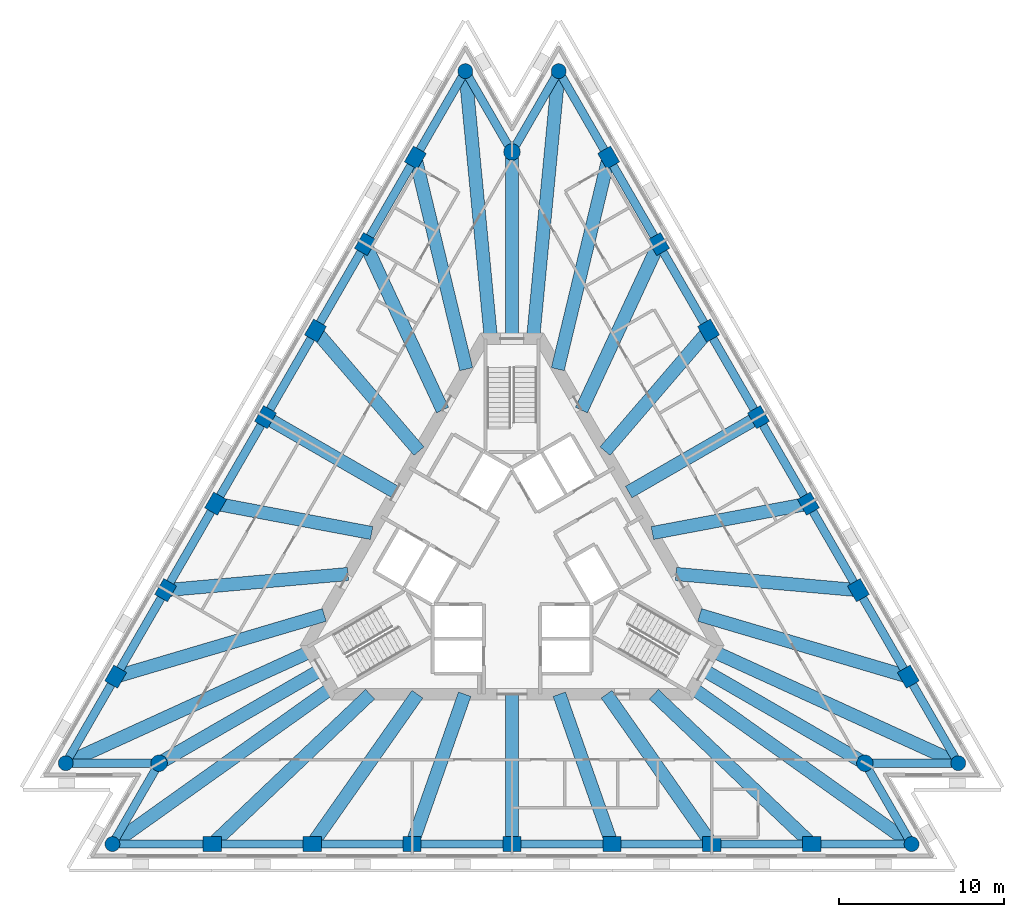
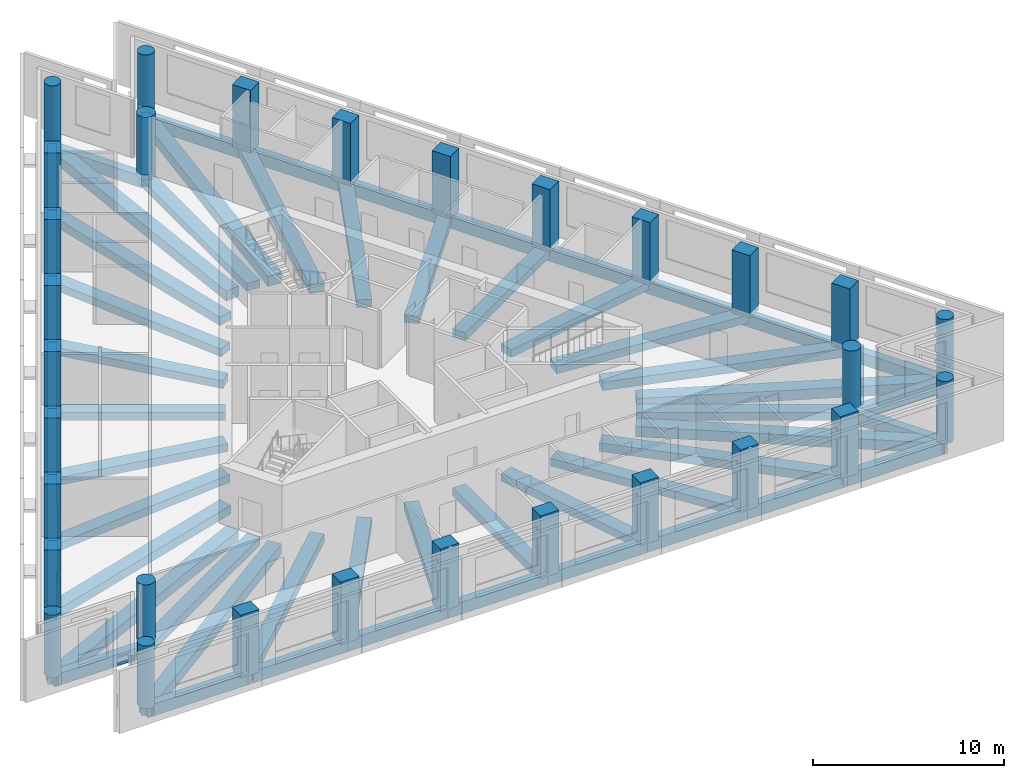
# One storey, part 1 of 9: 60 beams, 30 columns.
"""IFC4 building model written with IfcOpenShell, lengths in metres."""

import ifcopenshell
import ifcopenshell.guid

model = None  # the IFC model being written
_history = None  # IfcOwnerHistory: only IFC2X3 demands one
_inside = {}  # id of a spatial element -> (the spatial element, [elements in it])
_under = {}  # id of a project, library or spatial element -> (it, [spatial elements below it])
_declared = {}  # id of a project -> (the project, [libraries it declares])
_typed = {}  # id of a type object -> (the type object, [elements of that type])
_made_of = {}  # id of a material, layer set ... -> (it, [elements and type objects made of it])


def new_model(schema):
    """Start an empty IFC model of exactly this schema.

    Asked for "IFC4X3", IfcOpenShell would pick the latest addendum, in which some entities
    have other attributes; the version numbers below select the first issue.
    IFC2X3 requires an IfcOwnerHistory on every rooted entity: one is made here for all.
    """
    global model, _history
    if schema == "IFC4X3":
        model = ifcopenshell.file(schema_version=(4, 3, 0, 0))
    else:
        model = ifcopenshell.file(schema=schema)
    _inside.clear()
    _under.clear()
    _declared.clear()
    _typed.clear()
    _made_of.clear()
    _history = None
    if model.schema == "IFC2X3":
        org = make("IfcOrganization", Name="unknown")
        user = make(
            "IfcPersonAndOrganization",
            ThePerson=make("IfcPerson", FamilyName="unknown"),
            TheOrganization=org,
        )
        app = make(
            "IfcApplication",
            ApplicationDeveloper=org,
            Version="unknown",
            ApplicationFullName="unknown",
            ApplicationIdentifier="unknown",
        )
        _history = make(
            "IfcOwnerHistory",
            OwningUser=user,
            OwningApplication=app,
            ChangeAction="ADDED",
            CreationDate=0,
        )
    return model


def make(cls, **values):
    """One entity of the class cls with the attributes given. An attribute that is None is left unset."""
    return model.create_entity(
        cls, **{name: value for name, value in values.items() if value is not None}
    )


def rooted(cls, **values):
    """An entity with a GlobalId (a new one), such as an element, a storey or a relation."""
    return make(cls, GlobalId=ifcopenshell.guid.new(), OwnerHistory=_history, **values)


def si_unit(unit_type, name, prefix=None):
    """IfcSIUnit, for example si_unit("LENGTHUNIT", "METRE", prefix="MILLI")."""
    return make("IfcSIUnit", UnitType=unit_type, Prefix=prefix, Name=name)


def assignment(units):
    """IfcUnitAssignment: the units of a project."""
    return None if units is None else make("IfcUnitAssignment", Units=units)


def point(xyz):
    """IfcCartesianPoint."""
    return None if xyz is None else make("IfcCartesianPoint", Coordinates=xyz)


def direction(xyz):
    """IfcDirection."""
    return None if xyz is None else make("IfcDirection", DirectionRatios=xyz)


def frame(location, z_axis=None, x_axis=None):
    """IfcAxis2Placement3D, a coordinate frame: its origin and axes. An axis left out is left unset."""
    return make(
        "IfcAxis2Placement3D",
        Location=point(location),
        Axis=direction(z_axis),
        RefDirection=direction(x_axis),
    )


def frame_2d(location, x_axis=None):
    """IfcAxis2Placement2D, a coordinate frame in the plane: its origin and x axis."""
    return make(
        "IfcAxis2Placement2D", Location=point(location), RefDirection=direction(x_axis)
    )


def origin():
    """The frame at (0, 0, 0) with its axes left unset."""
    return frame((0.0, 0.0, 0.0))


def origin_2d():
    """The frame at (0, 0) in the plane with its x axis left unset."""
    return frame_2d((0.0, 0.0))


def place(relative_to, where):
    """IfcLocalPlacement: puts the frame where relative to a parent placement (None: the world)."""
    return make(
        "IfcLocalPlacement", PlacementRelTo=relative_to, RelativePlacement=where
    )


def context(
    kind, dimensions, precision=None, world=None, true_north=None, identifier=None
):
    """IfcGeometricRepresentationContext, for example the 3D "Model" context."""
    return make(
        "IfcGeometricRepresentationContext",
        ContextIdentifier=identifier,
        ContextType=kind,
        CoordinateSpaceDimension=dimensions,
        Precision=precision,
        WorldCoordinateSystem=world,
        TrueNorth=true_north,
    )


def subcontext(parent, identifier, kind, view, scale=None):
    """IfcGeometricRepresentationSubContext, for example "Body" below "Model"."""
    return make(
        "IfcGeometricRepresentationSubContext",
        ContextIdentifier=identifier,
        ContextType=kind,
        ParentContext=parent,
        TargetScale=scale,
        TargetView=view,
    )


def project(units=None, contexts=None):
    """IfcProject with its units and contexts."""
    return rooted(
        "IfcProject",
        Name="project",
        RepresentationContexts=contexts,
        UnitsInContext=assignment(units),
    )


def spatial(cls, under=None, at=None, **own):
    """A site, building, storey or space (cls), placed at a placement, below another one or the project."""
    s = rooted(cls, ObjectPlacement=at, **own)
    if under is not None:
        _under.setdefault(under.id(), (under, []))[1].append(s)
    return s


def profile(cls, at=None, kind="AREA", **sizes):
    """A parametric profile (cls). Its sizes go by their IFC names, for example OverallWidth=200.0."""
    return make(cls, ProfileType=kind, Position=at, **sizes)


def rectangle(**sizes):
    """IfcRectangleProfileDef."""
    return profile("IfcRectangleProfileDef", **sizes)


def circle(**sizes):
    """IfcCircleProfileDef."""
    return profile("IfcCircleProfileDef", **sizes)


def extrude(swept, where, along, depth):
    """IfcExtrudedAreaSolid: the profile swept, set in the frame where, extruded along a direction by depth."""
    return make(
        "IfcExtrudedAreaSolid",
        SweptArea=swept,
        Position=where,
        ExtrudedDirection=direction(along),
        Depth=depth,
    )


def shape(context_of_items, identifier, shape_type, items):
    """IfcShapeRepresentation: the items that make up one representation, for example the "Body"."""
    return make(
        "IfcShapeRepresentation",
        ContextOfItems=context_of_items,
        RepresentationIdentifier=identifier,
        RepresentationType=shape_type,
        Items=items,
    )


def material(Name=None, Category=None):
    """IfcMaterial."""
    return make("IfcMaterial", Name=Name, Category=Category)


def material_profile(
    of_material, cross_section, Name=None, Category=None, Priority=None
):
    """IfcMaterialProfile: a cross section and its material."""
    return make(
        "IfcMaterialProfile",
        Name=Name,
        Material=of_material,
        Profile=cross_section,
        Priority=Priority,
        Category=Category,
    )


def profile_set(profiles, Name=None, composite=None):
    """IfcMaterialProfileSet."""
    return make(
        "IfcMaterialProfileSet",
        Name=Name,
        MaterialProfiles=profiles,
        CompositeProfile=composite,
    )


def made_of(thing, what):
    """Note that an element or type object is made of a material, layer set ...; save() writes the relation."""
    if what is not None:
        _made_of.setdefault(what.id(), (what, []))[1].append(thing)
    return thing


def type_object(cls, material=None, **own):
    """A type object (cls), such as IfcWallType, which elements share."""
    return made_of(rooted(cls, **own), material)


def element(
    cls,
    number,
    at=None,
    inside=None,
    cuts=None,
    type_object=None,
    material=None,
    context=None,
    identifier="Body",
    shape_type=None,
    held_by="IfcProductDefinitionShape",
    body=None,
    shapes=None,
    **own,
):
    """One element of the class cls, such as IfcWall. Its Tag is "e" and its number.

    at: its placement. inside: the storey or other place that contains it. cuts: it is an
    opening in that element (IfcRelVoidsElement). A single representation is given by context,
    identifier, shape_type and body (its items); several are given by shapes. held_by: the class
    of the entity that holds the representations. save() writes the other relations.
    """
    e = rooted(cls, Tag="e%d" % number, ObjectPlacement=at, **own)
    if body is not None:
        shapes = [shape(context, identifier, shape_type, body)]
    if shapes is not None:
        e.Representation = make(held_by, Representations=shapes)
    if inside is not None:
        _inside.setdefault(inside.id(), (inside, []))[1].append(e)
    if cuts is not None:
        rooted(
            "IfcRelVoidsElement", RelatingBuildingElement=cuts, RelatedOpeningElement=e
        )
    if type_object is not None:
        _typed.setdefault(type_object.id(), (type_object, []))[1].append(e)
    return made_of(e, material)


def aggregate(whole, parts):
    """IfcRelAggregates: a whole, such as a stair, and the parts it consists of."""
    return rooted("IfcRelAggregates", RelatingObject=whole, RelatedObjects=parts)


def save(model, path):
    """Write the relations noted so far, then the file.

    IfcRelAggregates (storeys below a building ...), IfcRelContainedInSpatialStructure (elements
    in a storey), IfcRelDefinesByType, IfcRelAssociatesMaterial and IfcRelDeclares: one each for
    every whole, place, type object, material and project.
    """
    for whole, parts in _under.values():
        aggregate(whole, parts)
    for where, things in _inside.values():
        rooted(
            "IfcRelContainedInSpatialStructure",
            RelatedElements=things,
            RelatingStructure=where,
        )
    for kind, things in _typed.values():
        rooted("IfcRelDefinesByType", RelatedObjects=things, RelatingType=kind)
    for what, things in _made_of.values():
        rooted("IfcRelAssociatesMaterial", RelatedObjects=things, RelatingMaterial=what)
    for by, libraries in _declared.values():
        rooted("IfcRelDeclares", RelatingContext=by, RelatedDefinitions=libraries)
    model.write(path)


model = new_model("IFC4")

# Units and contexts
model_context = context("Model", 3, precision=1e-05, world=origin(), true_north=direction((0.0, 1.0)))
body_context = subcontext(model_context, "Body", "Model", "MODEL_VIEW")
ifc_project = project(units=[si_unit("LENGTHUNIT", "METRE"), si_unit("AREAUNIT", "SQUARE_METRE"), si_unit("VOLUMEUNIT", "CUBIC_METRE"), si_unit("PLANEANGLEUNIT", "RADIAN"), si_unit("MASSUNIT", "GRAM", prefix="KILO")], contexts=[model_context])

# Site, building, storey
site_placement = place(None, origin())
site = spatial("IfcSite", under=ifc_project, at=site_placement, CompositionType="ELEMENT")
building_placement = place(site_placement, origin())
building = spatial("IfcBuilding", under=site, at=building_placement, Name="Triada Interchange Tower", CompositionType="ELEMENT")
storey_placement = place(building_placement, frame((0.0, 0.0, 219.300048828125)))
storey = spatial("IfcBuildingStorey", under=building, at=storey_placement, Name="L51", CompositionType="ELEMENT", Elevation=219.300048828125)

# Columns
ifc_material = material(Name="Concrete C50/60", Category="concrete")
ifc_material_profile_1 = material_profile(ifc_material, rectangle(XDim=1.10009765625, YDim=0.89990234375, at=origin_2d()), Name="RC 1100x900")
ifc_profile_set_1 = profile_set([ifc_material_profile_1], Name="Concrete C50/60")
column_type_1 = type_object("IfcColumnType", Name="Column C face RC 1100x900", PredefinedType="COLUMN", material=ifc_profile_set_1)
for number, where, z_axis, x_axis, name in (
    (1, (-5.843017578125, 24.299072265625, -0.300048828125), (0.0, 0.0, 1.0), (0.5, 0.866025403784, 0.0), "Column CC02 L51"),
    (2, (-8.864013671875, 19.068115234375, -0.300048828125), (0.0, 0.0, 1.0), (0.5, 0.866025403784, 0.0), "Column CC03 L51"),
    (3, (-11.884033203125, 13.8359375, -0.300048828125), (0.0, 0.0, 1.0), (0.5, 0.866025403784, 0.0), "Column CC04 L51"),
    (4, (-14.904052734375, 8.60498046875, -0.300048828125), (0.0, 0.0, 1.0), (0.5, 0.866025403784, 0.0), "Column CC05 L51"),
    (5, (-17.924072265625, 3.3740234375, -0.300048828125), (0.0, 0.0, 1.0), (0.5, 0.866025403784, 0.0), "Column CC06 L51"),
    (6, (-20.944091796875, -1.85791015625, -0.300048828125), (0.0, 0.0, 1.0), (0.5, 0.866025403784, 0.0), "Column CC07 L51"),
    (7, (-23.965087890625, -7.089111328125, -0.300048828125), (0.0, 0.0, 1.0), (0.5, 0.866025403784, 0.0), "Column CC08 L51"),
    (8, (-18.12109375, -17.2099609375, -0.300048828125), (0.0, 0.0, 1.0), (1.0, 0.0, 0.0), "Column CC11 L51"),
    (9, (-12.0810546875, -17.2099609375, -0.300048828125), (0.0, 0.0, 1.0), (1.0, 0.0, 0.0), "Column CC12 L51"),
    (10, (-6.041015625, -17.2099609375, -0.300048828125), (0.0, 0.0, 1.0), (1.0, 0.0, 0.0), "Column CC13 L51"),
    (11, (0.0, -17.2099609375, -0.300048828125), (0.0, 0.0, 1.0), (1.0, 0.0, 0.0), "Column CC14 L51"),
    (12, (6.041015625, -17.2099609375, -0.300048828125), (0.0, 0.0, 1.0), (1.0, 0.0, 0.0), "Column CC15 L51"),
    (13, (12.0810546875, -17.2099609375, -0.300048828125), (0.0, 0.0, 1.0), (1.0, 0.0, 0.0), "Column CC16 L51"),
    (14, (18.12109375, -17.2099609375, -0.300048828125), (0.0, 0.0, 1.0), (1.0, 0.0, 0.0), "Column CC17 L51"),
    (15, (23.965087890625, -7.089111328125, -0.300048828125), (0.0, 0.0, 1.0), (-0.5, 0.866025403784, 0.0), "Column CC20 L51"),
    (16, (20.944091796875, -1.85791015625, -0.300048828125), (0.0, 0.0, 1.0), (-0.5, 0.866025403784, 0.0), "Column CC21 L51"),
    (17, (17.924072265625, 3.3740234375, -0.300048828125), (0.0, 0.0, 1.0), (-0.5, 0.866025403784, 0.0), "Column CC22 L51"),
    (18, (14.904052734375, 8.60498046875, -0.300048828125), (0.0, 0.0, 1.0), (-0.5, 0.866025403784, 0.0), "Column CC23 L51"),
    (19, (11.884033203125, 13.8359375, -0.300048828125), (0.0, 0.0, 1.0), (-0.5, 0.866025403784, 0.0), "Column CC24 L51"),
    (20, (8.864013671875, 19.068115234375, -0.300048828125), (0.0, 0.0, 1.0), (-0.5, 0.866025403784, 0.0), "Column CC25 L51"),
    (21, (5.843017578125, 24.299072265625, -0.300048828125), (0.0, 0.0, 1.0), (-0.5, 0.866025403784, 0.0), "Column CC26 L51"),
):
    element("IfcColumn", number, at=place(storey_placement, frame(where, z_axis=z_axis, x_axis=x_axis)), inside=storey, type_object=column_type_1, Name=name, PredefinedType="COLUMN", context=body_context, shape_type="SweptSolid", body=[
        extrude(rectangle(XDim=1.10009765625, YDim=0.89990234375, at=origin_2d()), origin(), (0.0, 0.0, 1.0), 4.0),
    ])
ifc_material_profile_2 = material_profile(ifc_material, circle(Radius=0.449951171875, at=origin_2d()), Name="RC D900")
ifc_profile_set_2 = profile_set([ifc_material_profile_2], Name="Concrete C50/60")
column_type_2 = type_object("IfcColumnType", Name="End column C RC D900", PredefinedType="COLUMN", material=ifc_profile_set_2)
for number, where, z_axis, x_axis, name in (
    (22, (-2.822998046875, 29.530029296875, -0.300048828125), (0.0, 0.0, 1.0), (0.5, 0.866025403784, 0.0), "Column CC01 L51"),
    (23, (-26.985107421875, -12.320068359375, -0.300048828125), (0.0, 0.0, 1.0), (0.5, 0.866025403784, 0.0), "Column CC09 L51"),
    (24, (-24.162109375, -17.2099609375, -0.300048828125), (0.0, 0.0, 1.0), (1.0, 0.0, 0.0), "Column CC10 L51"),
    (25, (24.162109375, -17.2099609375, -0.300048828125), (0.0, 0.0, 1.0), (1.0, 0.0, 0.0), "Column CC18 L51"),
    (26, (26.985107421875, -12.320068359375, -0.300048828125), (0.0, 0.0, 1.0), (-0.5, 0.866025403784, 0.0), "Column CC19 L51"),
    (27, (2.822998046875, 29.530029296875, -0.300048828125), (0.0, 0.0, 1.0), (-0.5, 0.866025403784, 0.0), "Column CC27 L51"),
):
    element("IfcColumn", number, at=place(storey_placement, frame(where, z_axis=z_axis, x_axis=x_axis)), inside=storey, type_object=column_type_2, Name=name, PredefinedType="COLUMN", context=body_context, shape_type="SweptSolid", body=[
        extrude(circle(Radius=0.449951171875, at=origin_2d()), origin(), (0.0, 0.0, 1.0), 4.0),
    ])
ifc_material_profile_3 = material_profile(ifc_material, circle(Radius=0.5, at=origin_2d()), Name="RC D1000")
ifc_profile_set_3 = profile_set([ifc_material_profile_3], Name="Concrete C50/60")
column_type_3 = type_object("IfcColumnType", Name="Mega column C RC D1000", PredefinedType="COLUMN", material=ifc_profile_set_3)
for number, where, z_axis, x_axis, name in (
    (28, (0.0, 24.64111328125, -0.300048828125), (0.0, 0.0, 1.0), (1.0, 0.0, 0.0), "Column MC1 L51"),
    (29, (-21.339111328125, -12.320068359375, -0.300048828125), (0.0, 0.0, 1.0), (1.0, 0.0, 0.0), "Column MC2 L51"),
    (30, (21.339111328125, -12.320068359375, -0.300048828125), (0.0, 0.0, 1.0), (1.0, 0.0, 0.0), "Column MC3 L51"),
):
    element("IfcColumn", number, at=place(storey_placement, frame(where, z_axis=z_axis, x_axis=x_axis)), inside=storey, type_object=column_type_3, Name=name, PredefinedType="COLUMN", context=body_context, shape_type="SweptSolid", body=[
        extrude(circle(Radius=0.5, at=origin_2d()), origin(), (0.0, 0.0, 1.0), 4.0),
    ])

# Beams
ifc_material_profile_4 = material_profile(ifc_material, rectangle(XDim=0.800048828125, YDim=0.5, at=origin_2d()), Name="RC 800x500")
ifc_profile_set_4 = profile_set([ifc_material_profile_4], Name="Concrete C50/60")
beam_type_1 = type_object("IfcBeamType", Name="Radial band beam C RC 800x500", PredefinedType="BEAM", material=ifc_profile_set_4)
beam_1_placement = place(storey_placement, frame((-8.864013671875, 19.068115234375, -0.550048828125), z_axis=(0.421590750137, -0.906786214826, 0.0), x_axis=(0.906786214826, 0.421590750137, 0.0)))
element("IfcBeam", 31, at=beam_1_placement, inside=storey, type_object=beam_type_1, Name="Radial band beam BC03 L51", PredefinedType="BEAM", context=body_context, shape_type="SweptSolid", body=[
    extrude(rectangle(XDim=0.800048828125, YDim=0.5, at=origin_2d()), origin(), (0.0, 0.0, 1.0), 11.070068359375),
])
beam_2_placement = place(storey_placement, frame((-11.884033203125, 13.8359375, -0.550048828125), z_axis=(0.6515553359, -0.75860111011, 0.0), x_axis=(0.75860111011, 0.6515553359, 0.0)))
element("IfcBeam", 32, at=beam_2_placement, inside=storey, type_object=beam_type_1, Name="Radial band beam BC04 L51", PredefinedType="BEAM", context=body_context, shape_type="SweptSolid", body=[
    extrude(rectangle(XDim=0.800048828125, YDim=0.5, at=origin_2d()), origin(), (0.0, 0.0, 1.0), 9.601806640625),
])
beam_3_placement = place(storey_placement, frame((-14.904052734375, 8.60498046875, -0.550048828125), z_axis=(0.866017300948, -0.500014034262, 0.0), x_axis=(0.500014034262, 0.866017300948, 0.0)))
element("IfcBeam", 33, at=beam_3_placement, inside=storey, type_object=beam_type_1, Name="Radial band beam BC05 L51", PredefinedType="BEAM", context=body_context, shape_type="SweptSolid", body=[
    extrude(rectangle(XDim=0.800048828125, YDim=0.5, at=origin_2d()), origin(), (0.0, 0.0, 1.0), 9.059814453125),
])
beam_4_placement = place(storey_placement, frame((-17.924072265625, 3.3740234375, -0.550048828125), z_axis=(0.982742411841, -0.18497932849, 0.0), x_axis=(0.18497932849, 0.982742411841, 0.0)))
element("IfcBeam", 34, at=beam_4_placement, inside=storey, type_object=beam_type_1, Name="Radial band beam BC06 L51", PredefinedType="BEAM", context=body_context, shape_type="SweptSolid", body=[
    extrude(rectangle(XDim=0.800048828125, YDim=0.5, at=origin_2d()), origin(), (0.0, 0.0, 1.0), 9.601806640625),
])
beam_5_placement = place(storey_placement, frame((-20.944091796875, -1.85791015625, -0.550048828125), z_axis=(0.996088446435, 0.088361795355, 0.0), x_axis=(-0.088361795355, 0.996088446435, 0.0)))
element("IfcBeam", 35, at=beam_5_placement, inside=storey, type_object=beam_type_1, Name="Radial band beam BC07 L51", PredefinedType="BEAM", context=body_context, shape_type="SweptSolid", body=[
    extrude(rectangle(XDim=0.800048828125, YDim=0.5, at=origin_2d()), origin(), (0.0, 0.0, 1.0), 11.068359375),
])
beam_6_placement = place(storey_placement, frame((-21.339111328125, -12.320068359375, -0.550048828125), z_axis=(0.86601740905, 0.500013847031, 0.0), x_axis=(-0.500013847031, 0.86601740905, 0.0)))
element("IfcBeam", 36, at=beam_6_placement, inside=storey, type_object=beam_type_1, Name="Radial band beam BC10 L51", PredefinedType="BEAM", context=body_context, shape_type="SweptSolid", body=[
    extrude(rectangle(XDim=0.800048828125, YDim=0.5, at=origin_2d()), origin(), (0.0, 0.0, 1.0), 11.289794921875),
])
beam_7_placement = place(storey_placement, frame((-12.0810546875, -17.2099609375, -0.550048828125), z_axis=(0.574557185305, 0.818464440776, 0.0), x_axis=(-0.818464440776, 0.574557185305, 0.0)))
element("IfcBeam", 37, at=beam_7_placement, inside=storey, type_object=beam_type_1, Name="Radial band beam BC13 L51", PredefinedType="BEAM", context=body_context, shape_type="SweptSolid", body=[
    extrude(rectangle(XDim=0.800048828125, YDim=0.5, at=origin_2d()), origin(), (0.0, 0.0, 1.0), 11.069580078125),
])
beam_8_placement = place(storey_placement, frame((-6.041015625, -17.2099609375, -0.550048828125), z_axis=(0.331177076253, 0.943568621863, 0.0), x_axis=(-0.943568621863, 0.331177076253, 0.0)))
element("IfcBeam", 38, at=beam_8_placement, inside=storey, type_object=beam_type_1, Name="Radial band beam BC14 L51", PredefinedType="BEAM", context=body_context, shape_type="SweptSolid", body=[
    extrude(rectangle(XDim=0.800048828125, YDim=0.5, at=origin_2d()), origin(), (0.0, 0.0, 1.0), 9.601806640625),
])
beam_9_placement = place(storey_placement, frame((0.0, -17.2099609375, -0.550048828125), z_axis=(0.0, 1.0, 0.0), x_axis=(-1.0, 0.0, 0.0)))
element("IfcBeam", 39, at=beam_9_placement, inside=storey, type_object=beam_type_1, Name="Radial band beam BC15 L51", PredefinedType="BEAM", context=body_context, shape_type="SweptSolid", body=[
    extrude(rectangle(XDim=0.800048828125, YDim=0.5, at=origin_2d()), origin(), (0.0, 0.0, 1.0), 9.06005859375),
])
beam_10_placement = place(storey_placement, frame((6.041015625, -17.2099609375, -0.550048828125), z_axis=(-0.331177076253, 0.943568621863, 0.0), x_axis=(-0.943568621863, -0.331177076253, 0.0)))
element("IfcBeam", 40, at=beam_10_placement, inside=storey, type_object=beam_type_1, Name="Radial band beam BC16 L51", PredefinedType="BEAM", context=body_context, shape_type="SweptSolid", body=[
    extrude(rectangle(XDim=0.800048828125, YDim=0.5, at=origin_2d()), origin(), (0.0, 0.0, 1.0), 9.601806640625),
])
beam_11_placement = place(storey_placement, frame((12.0810546875, -17.2099609375, -0.550048828125), z_axis=(-0.574557185305, 0.818464440776, 0.0), x_axis=(-0.818464440776, -0.574557185305, 0.0)))
element("IfcBeam", 41, at=beam_11_placement, inside=storey, type_object=beam_type_1, Name="Radial band beam BC17 L51", PredefinedType="BEAM", context=body_context, shape_type="SweptSolid", body=[
    extrude(rectangle(XDim=0.800048828125, YDim=0.5, at=origin_2d()), origin(), (0.0, 0.0, 1.0), 11.069580078125),
])
beam_12_placement = place(storey_placement, frame((21.339111328125, -12.320068359375, -0.550048828125), z_axis=(-0.86601740905, 0.500013847031, 0.0), x_axis=(-0.500013847031, -0.86601740905, 0.0)))
element("IfcBeam", 42, at=beam_12_placement, inside=storey, type_object=beam_type_1, Name="Radial band beam BC20 L51", PredefinedType="BEAM", context=body_context, shape_type="SweptSolid", body=[
    extrude(rectangle(XDim=0.800048828125, YDim=0.5, at=origin_2d()), origin(), (0.0, 0.0, 1.0), 11.289794921875),
])
beam_13_placement = place(storey_placement, frame((20.944091796875, -1.85791015625, -0.550048828125), z_axis=(-0.996088446435, 0.088361795355, 0.0), x_axis=(-0.088361795355, -0.996088446435, 0.0)))
element("IfcBeam", 43, at=beam_13_placement, inside=storey, type_object=beam_type_1, Name="Radial band beam BC23 L51", PredefinedType="BEAM", context=body_context, shape_type="SweptSolid", body=[
    extrude(rectangle(XDim=0.800048828125, YDim=0.5, at=origin_2d()), origin(), (0.0, 0.0, 1.0), 11.068359375),
])
beam_14_placement = place(storey_placement, frame((17.924072265625, 3.3740234375, -0.550048828125), z_axis=(-0.982742411841, -0.18497932849, 0.0), x_axis=(0.18497932849, -0.982742411841, 0.0)))
element("IfcBeam", 44, at=beam_14_placement, inside=storey, type_object=beam_type_1, Name="Radial band beam BC24 L51", PredefinedType="BEAM", context=body_context, shape_type="SweptSolid", body=[
    extrude(rectangle(XDim=0.800048828125, YDim=0.5, at=origin_2d()), origin(), (0.0, 0.0, 1.0), 9.601806640625),
])
beam_15_placement = place(storey_placement, frame((14.904052734375, 8.60498046875, -0.550048828125), z_axis=(-0.866017300948, -0.500014034262, 0.0), x_axis=(0.500014034262, -0.866017300948, 0.0)))
element("IfcBeam", 45, at=beam_15_placement, inside=storey, type_object=beam_type_1, Name="Radial band beam BC25 L51", PredefinedType="BEAM", context=body_context, shape_type="SweptSolid", body=[
    extrude(rectangle(XDim=0.800048828125, YDim=0.5, at=origin_2d()), origin(), (0.0, 0.0, 1.0), 9.059814453125),
])
beam_16_placement = place(storey_placement, frame((11.884033203125, 13.8359375, -0.550048828125), z_axis=(-0.6515553359, -0.75860111011, 0.0), x_axis=(0.75860111011, -0.6515553359, 0.0)))
element("IfcBeam", 46, at=beam_16_placement, inside=storey, type_object=beam_type_1, Name="Radial band beam BC26 L51", PredefinedType="BEAM", context=body_context, shape_type="SweptSolid", body=[
    extrude(rectangle(XDim=0.800048828125, YDim=0.5, at=origin_2d()), origin(), (0.0, 0.0, 1.0), 9.601806640625),
])
beam_17_placement = place(storey_placement, frame((8.864013671875, 19.068115234375, -0.550048828125), z_axis=(-0.421590750137, -0.906786214826, 0.0), x_axis=(0.906786214826, -0.421590750137, 0.0)))
element("IfcBeam", 47, at=beam_17_placement, inside=storey, type_object=beam_type_1, Name="Radial band beam BC27 L51", PredefinedType="BEAM", context=body_context, shape_type="SweptSolid", body=[
    extrude(rectangle(XDim=0.800048828125, YDim=0.5, at=origin_2d()), origin(), (0.0, 0.0, 1.0), 11.070068359375),
])
beam_18_placement = place(storey_placement, frame((0.0, 24.64111328125, -0.550048828125), z_axis=(0.0, -1.0, 0.0), x_axis=(1.0, 0.0, 0.0)))
element("IfcBeam", 48, at=beam_18_placement, inside=storey, type_object=beam_type_1, Name="Radial band beam BC30 L51", PredefinedType="BEAM", context=body_context, shape_type="SweptSolid", body=[
    extrude(rectangle(XDim=0.800048828125, YDim=0.5, at=origin_2d()), origin(), (0.0, 0.0, 1.0), 11.291015625),
])
ifc_material_profile_5 = material_profile(ifc_material, rectangle(XDim=0.800048828125, YDim=0.550048828125, at=origin_2d()), Name="RC 800x550")
ifc_profile_set_5 = profile_set([ifc_material_profile_5], Name="Concrete C50/60")
beam_type_2 = type_object("IfcBeamType", Name="Radial band beam C RC 800x550", PredefinedType="BEAM", material=ifc_profile_set_5)
for number, where, z_axis, x_axis, name in (
    (49, (-5.843017578125, 24.299072265625, -0.574951171875), (0.23379332941, -0.972286315405, 0.0), (0.972286315405, 0.23379332941, 0.0), "Radial band beam BC02 L51"),
    (50, (-23.965087890625, -7.089111328125, -0.574951171875), (0.958919895275, 0.283676989629, 0.0), (-0.283676989629, 0.958919895275, 0.0), "Radial band beam BC08 L51"),
):
    element("IfcBeam", number, at=place(storey_placement, frame(where, z_axis=z_axis, x_axis=x_axis)), inside=storey, type_object=beam_type_2, Name=name, PredefinedType="BEAM", context=body_context, shape_type="SweptSolid", body=[
        extrude(rectangle(XDim=0.800048828125, YDim=0.550048828125, at=origin_2d()), origin(), (0.0, 0.0, 1.0), 13.156494140625),
    ])
for number, where, z_axis, x_axis, name in (
    (51, (-18.12109375, -17.2099609375, -0.574951171875), (0.725112469528, 0.688630457165, 0.0), (-0.688630457165, 0.725112469528, 0.0), "Radial band beam BC12 L51"),
    (52, (18.12109375, -17.2099609375, -0.574951171875), (-0.725112469528, 0.688630457165, 0.0), (-0.688630457165, -0.725112469528, 0.0), "Radial band beam BC18 L51"),
):
    element("IfcBeam", number, at=place(storey_placement, frame(where, z_axis=z_axis, x_axis=x_axis)), inside=storey, type_object=beam_type_2, Name=name, PredefinedType="BEAM", context=body_context, shape_type="SweptSolid", body=[
        extrude(rectangle(XDim=0.800048828125, YDim=0.550048828125, at=origin_2d()), origin(), (0.0, 0.0, 1.0), 13.15673828125),
    ])
for number, where, z_axis, x_axis, name in (
    (53, (23.965087890625, -7.089111328125, -0.574951171875), (-0.958919895275, 0.283676989629, 0.0), (-0.283676989629, -0.958919895275, 0.0), "Radial band beam BC22 L51"),
    (54, (5.843017578125, 24.299072265625, -0.574951171875), (-0.23379332941, -0.972286315405, 0.0), (0.972286315405, -0.23379332941, 0.0), "Radial band beam BC28 L51"),
):
    element("IfcBeam", number, at=place(storey_placement, frame(where, z_axis=z_axis, x_axis=x_axis)), inside=storey, type_object=beam_type_2, Name=name, PredefinedType="BEAM", context=body_context, shape_type="SweptSolid", body=[
        extrude(rectangle(XDim=0.800048828125, YDim=0.550048828125, at=origin_2d()), origin(), (0.0, 0.0, 1.0), 13.156494140625),
    ])
ifc_material_profile_6 = material_profile(ifc_material, rectangle(XDim=0.800048828125, YDim=0.64990234375, at=origin_2d()), Name="RC 800x650")
ifc_profile_set_6 = profile_set([ifc_material_profile_6], Name="Concrete C50/60")
beam_type_3 = type_object("IfcBeamType", Name="Radial band beam C RC 800x650", PredefinedType="BEAM", material=ifc_profile_set_6)
beam_19_placement = place(storey_placement, frame((-2.822998046875, 29.530029296875, -0.625), z_axis=(0.095185478206, -0.995459554547, 0.0), x_axis=(0.995459554547, 0.095185478206, 0.0)))
element("IfcBeam", 55, at=beam_19_placement, inside=storey, type_object=beam_type_3, Name="Radial band beam BC01 L51", PredefinedType="BEAM", context=body_context, shape_type="SweptSolid", body=[
    extrude(rectangle(XDim=0.800048828125, YDim=0.64990234375, at=origin_2d()), origin(), (0.0, 0.0, 1.0), 16.253662109375),
])
beam_20_placement = place(storey_placement, frame((-26.985107421875, -12.320068359375, -0.625), z_axis=(0.909682082245, 0.415305320507, 0.0), x_axis=(-0.415305320507, 0.909682082245, 0.0)))
element("IfcBeam", 56, at=beam_20_placement, inside=storey, type_object=beam_type_3, Name="Radial band beam BC09 L51", PredefinedType="BEAM", context=body_context, shape_type="SweptSolid", body=[
    extrude(rectangle(XDim=0.800048828125, YDim=0.64990234375, at=origin_2d()), origin(), (0.0, 0.0, 1.0), 16.253173828125),
])
for number, where, z_axis, x_axis, name in (
    (57, (-24.162109375, -17.2099609375, -0.625), (0.814504065781, 0.580157846475, 0.0), (-0.580157846475, 0.814504065781, 0.0), "Radial band beam BC11 L51"),
    (58, (24.162109375, -17.2099609375, -0.625), (-0.814504065781, 0.580157846475, 0.0), (-0.580157846475, -0.814504065781, 0.0), "Radial band beam BC19 L51"),
):
    element("IfcBeam", number, at=place(storey_placement, frame(where, z_axis=z_axis, x_axis=x_axis)), inside=storey, type_object=beam_type_3, Name=name, PredefinedType="BEAM", context=body_context, shape_type="SweptSolid", body=[
        extrude(rectangle(XDim=0.800048828125, YDim=0.64990234375, at=origin_2d()), origin(), (0.0, 0.0, 1.0), 16.254150390625),
    ])
beam_21_placement = place(storey_placement, frame((26.985107421875, -12.320068359375, -0.625), z_axis=(-0.909682082245, 0.415305320507, 0.0), x_axis=(-0.415305320507, -0.909682082245, 0.0)))
element("IfcBeam", 59, at=beam_21_placement, inside=storey, type_object=beam_type_3, Name="Radial band beam BC21 L51", PredefinedType="BEAM", context=body_context, shape_type="SweptSolid", body=[
    extrude(rectangle(XDim=0.800048828125, YDim=0.64990234375, at=origin_2d()), origin(), (0.0, 0.0, 1.0), 16.253173828125),
])
beam_22_placement = place(storey_placement, frame((2.822998046875, 29.530029296875, -0.625), z_axis=(-0.095185478206, -0.995459554547, 0.0), x_axis=(0.995459554547, -0.095185478206, 0.0)))
element("IfcBeam", 60, at=beam_22_placement, inside=storey, type_object=beam_type_3, Name="Radial band beam BC29 L51", PredefinedType="BEAM", context=body_context, shape_type="SweptSolid", body=[
    extrude(rectangle(XDim=0.800048828125, YDim=0.64990234375, at=origin_2d()), origin(), (0.0, 0.0, 1.0), 16.253662109375),
])
ifc_material_profile_7 = material_profile(ifc_material, rectangle(XDim=0.5, YDim=0.75, at=origin_2d()), Name="RC 500x750")
ifc_profile_set_7 = profile_set([ifc_material_profile_7], Name="Concrete C50/60")
beam_type_4 = type_object("IfcBeamType", Name="Spandrel beam C RC 500x750", PredefinedType="BEAM", material=ifc_profile_set_7)
beam_23_placement = place(storey_placement, frame((-2.822998046875, 29.530029296875, -0.675048828125), z_axis=(-0.499990697366, -0.866030774596, 0.0), x_axis=(0.866030774596, -0.499990697366, 0.0)))
element("IfcBeam", 61, at=beam_23_placement, inside=storey, type_object=beam_type_4, Name="Spandrel beam EC01 L51", PredefinedType="BEAM", context=body_context, shape_type="SweptSolid", body=[
    extrude(rectangle(XDim=0.5, YDim=0.75, at=origin_2d()), origin(), (0.0, 0.0, 1.0), 6.0400390625),
])
beam_24_placement = place(storey_placement, frame((-5.843017578125, 24.299072265625, -0.675048828125), z_axis=(-0.500111943026, -0.865960763801, 0.0), x_axis=(0.865960763801, -0.500111943026, 0.0)))
element("IfcBeam", 62, at=beam_24_placement, inside=storey, type_object=beam_type_4, Name="Spandrel beam EC02 L51", PredefinedType="BEAM", context=body_context, shape_type="SweptSolid", body=[
    extrude(rectangle(XDim=0.5, YDim=0.75, at=origin_2d()), origin(), (0.0, 0.0, 1.0), 6.04052734375),
])
beam_25_placement = place(storey_placement, frame((-8.864013671875, 19.068115234375, -0.675048828125), z_axis=(-0.499903200169, -0.86608128398, 0.0), x_axis=(0.86608128398, -0.499903200169, 0.0)))
element("IfcBeam", 63, at=beam_25_placement, inside=storey, type_object=beam_type_4, Name="Spandrel beam EC03 L51", PredefinedType="BEAM", context=body_context, shape_type="SweptSolid", body=[
    extrude(rectangle(XDim=0.5, YDim=0.75, at=origin_2d()), origin(), (0.0, 0.0, 1.0), 6.041259765625),
])
for number, where, z_axis, x_axis, name in (
    (64, (-11.884033203125, 13.8359375, -0.675048828125), (-0.499990697366, -0.866030774596, 0.0), (0.866030774596, -0.499990697366, 0.0), "Spandrel beam EC04 L51"),
    (65, (-14.904052734375, 8.60498046875, -0.675048828125), (-0.499990697366, -0.866030774596, 0.0), (0.866030774596, -0.499990697366, 0.0), "Spandrel beam EC05 L51"),
):
    element("IfcBeam", number, at=place(storey_placement, frame(where, z_axis=z_axis, x_axis=x_axis)), inside=storey, type_object=beam_type_4, Name=name, PredefinedType="BEAM", context=body_context, shape_type="SweptSolid", body=[
        extrude(rectangle(XDim=0.5, YDim=0.75, at=origin_2d()), origin(), (0.0, 0.0, 1.0), 6.0400390625),
    ])
beam_26_placement = place(storey_placement, frame((-17.924072265625, 3.3740234375, -0.675048828125), z_axis=(-0.499920697567, -0.866071184225, 0.0), x_axis=(0.866071184225, -0.499920697567, 0.0)))
element("IfcBeam", 66, at=beam_26_placement, inside=storey, type_object=beam_type_4, Name="Spandrel beam EC06 L51", PredefinedType="BEAM", context=body_context, shape_type="SweptSolid", body=[
    extrude(rectangle(XDim=0.5, YDim=0.75, at=origin_2d()), origin(), (0.0, 0.0, 1.0), 6.041015625),
])
beam_27_placement = place(storey_placement, frame((-20.944091796875, -1.85791015625, -0.675048828125), z_axis=(-0.500094440131, -0.865970871883, 0.0), x_axis=(0.865970871883, -0.500094440131, 0.0)))
element("IfcBeam", 67, at=beam_27_placement, inside=storey, type_object=beam_type_4, Name="Spandrel beam EC07 L51", PredefinedType="BEAM", context=body_context, shape_type="SweptSolid", body=[
    extrude(rectangle(XDim=0.5, YDim=0.75, at=origin_2d()), origin(), (0.0, 0.0, 1.0), 6.040771484375),
])
beam_28_placement = place(storey_placement, frame((-23.965087890625, -7.089111328125, -0.675048828125), z_axis=(-0.499990697366, -0.866030774596, 0.0), x_axis=(0.866030774596, -0.499990697366, 0.0)))
element("IfcBeam", 68, at=beam_28_placement, inside=storey, type_object=beam_type_4, Name="Spandrel beam EC08 L51", PredefinedType="BEAM", context=body_context, shape_type="SweptSolid", body=[
    extrude(rectangle(XDim=0.5, YDim=0.75, at=origin_2d()), origin(), (0.0, 0.0, 1.0), 6.0400390625),
])
beam_29_placement = place(storey_placement, frame((-26.985107421875, -12.320068359375, -0.675048828125), z_axis=(1.0, 0.0, 0.0), x_axis=(0.0, 1.0, 0.0)))
element("IfcBeam", 69, at=beam_29_placement, inside=storey, type_object=beam_type_4, Name="Spandrel beam EC09 L51", PredefinedType="BEAM", context=body_context, shape_type="SweptSolid", body=[
    extrude(rectangle(XDim=0.5, YDim=0.75, at=origin_2d()), origin(), (0.0, 0.0, 1.0), 5.64599609375),
])
beam_30_placement = place(storey_placement, frame((-21.339111328125, -12.320068359375, -0.675048828125), z_axis=(-0.499975725007, -0.866039418504, 0.0), x_axis=(0.866039418504, -0.499975725007, 0.0)))
element("IfcBeam", 70, at=beam_30_placement, inside=storey, type_object=beam_type_4, Name="Spandrel beam EC10 L51", PredefinedType="BEAM", context=body_context, shape_type="SweptSolid", body=[
    extrude(rectangle(XDim=0.5, YDim=0.75, at=origin_2d()), origin(), (0.0, 0.0, 1.0), 5.646240234375),
])
beam_31_placement = place(storey_placement, frame((-24.162109375, -17.2099609375, -0.675048828125), z_axis=(1.0, 0.0, 0.0), x_axis=(0.0, 1.0, 0.0)))
element("IfcBeam", 71, at=beam_31_placement, inside=storey, type_object=beam_type_4, Name="Spandrel beam EC11 L51", PredefinedType="BEAM", context=body_context, shape_type="SweptSolid", body=[
    extrude(rectangle(XDim=0.5, YDim=0.75, at=origin_2d()), origin(), (0.0, 0.0, 1.0), 6.041015625),
])
for number, where, z_axis, x_axis, name in (
    (72, (-18.12109375, -17.2099609375, -0.675048828125), (1.0, 0.0, 0.0), (0.0, 1.0, 0.0), "Spandrel beam EC12 L51"),
    (73, (-12.0810546875, -17.2099609375, -0.675048828125), (1.0, 0.0, 0.0), (0.0, 1.0, 0.0), "Spandrel beam EC13 L51"),
):
    element("IfcBeam", number, at=place(storey_placement, frame(where, z_axis=z_axis, x_axis=x_axis)), inside=storey, type_object=beam_type_4, Name=name, PredefinedType="BEAM", context=body_context, shape_type="SweptSolid", body=[
        extrude(rectangle(XDim=0.5, YDim=0.75, at=origin_2d()), origin(), (0.0, 0.0, 1.0), 6.0400390625),
    ])
for number, where, z_axis, x_axis, name in (
    (74, (-6.041015625, -17.2099609375, -0.675048828125), (1.0, 0.0, 0.0), (0.0, 1.0, 0.0), "Spandrel beam EC14 L51"),
    (75, (0.0, -17.2099609375, -0.675048828125), (1.0, 0.0, 0.0), (0.0, 1.0, 0.0), "Spandrel beam EC15 L51"),
):
    element("IfcBeam", number, at=place(storey_placement, frame(where, z_axis=z_axis, x_axis=x_axis)), inside=storey, type_object=beam_type_4, Name=name, PredefinedType="BEAM", context=body_context, shape_type="SweptSolid", body=[
        extrude(rectangle(XDim=0.5, YDim=0.75, at=origin_2d()), origin(), (0.0, 0.0, 1.0), 6.041015625),
    ])
for number, where, z_axis, x_axis, name in (
    (76, (6.041015625, -17.2099609375, -0.675048828125), (1.0, 0.0, 0.0), (0.0, 1.0, 0.0), "Spandrel beam EC16 L51"),
    (77, (12.0810546875, -17.2099609375, -0.675048828125), (1.0, 0.0, 0.0), (0.0, 1.0, 0.0), "Spandrel beam EC17 L51"),
):
    element("IfcBeam", number, at=place(storey_placement, frame(where, z_axis=z_axis, x_axis=x_axis)), inside=storey, type_object=beam_type_4, Name=name, PredefinedType="BEAM", context=body_context, shape_type="SweptSolid", body=[
        extrude(rectangle(XDim=0.5, YDim=0.75, at=origin_2d()), origin(), (0.0, 0.0, 1.0), 6.0400390625),
    ])
beam_32_placement = place(storey_placement, frame((18.12109375, -17.2099609375, -0.675048828125), z_axis=(1.0, 0.0, 0.0), x_axis=(0.0, 1.0, 0.0)))
element("IfcBeam", 78, at=beam_32_placement, inside=storey, type_object=beam_type_4, Name="Spandrel beam EC18 L51", PredefinedType="BEAM", context=body_context, shape_type="SweptSolid", body=[
    extrude(rectangle(XDim=0.5, YDim=0.75, at=origin_2d()), origin(), (0.0, 0.0, 1.0), 6.041015625),
])
beam_33_placement = place(storey_placement, frame((24.162109375, -17.2099609375, -0.675048828125), z_axis=(-0.499975725007, 0.866039418504, 0.0), x_axis=(-0.866039418504, -0.499975725007, 0.0)))
element("IfcBeam", 79, at=beam_33_placement, inside=storey, type_object=beam_type_4, Name="Spandrel beam EC19 L51", PredefinedType="BEAM", context=body_context, shape_type="SweptSolid", body=[
    extrude(rectangle(XDim=0.5, YDim=0.75, at=origin_2d()), origin(), (0.0, 0.0, 1.0), 5.646240234375),
])
beam_34_placement = place(storey_placement, frame((21.339111328125, -12.320068359375, -0.675048828125), z_axis=(1.0, 0.0, 0.0), x_axis=(0.0, 1.0, 0.0)))
element("IfcBeam", 80, at=beam_34_placement, inside=storey, type_object=beam_type_4, Name="Spandrel beam EC20 L51", PredefinedType="BEAM", context=body_context, shape_type="SweptSolid", body=[
    extrude(rectangle(XDim=0.5, YDim=0.75, at=origin_2d()), origin(), (0.0, 0.0, 1.0), 5.64599609375),
])
beam_35_placement = place(storey_placement, frame((26.985107421875, -12.320068359375, -0.675048828125), z_axis=(-0.499990697366, 0.866030774596, 0.0), x_axis=(-0.866030774596, -0.499990697366, 0.0)))
element("IfcBeam", 81, at=beam_35_placement, inside=storey, type_object=beam_type_4, Name="Spandrel beam EC21 L51", PredefinedType="BEAM", context=body_context, shape_type="SweptSolid", body=[
    extrude(rectangle(XDim=0.5, YDim=0.75, at=origin_2d()), origin(), (0.0, 0.0, 1.0), 6.0400390625),
])
beam_36_placement = place(storey_placement, frame((23.965087890625, -7.089111328125, -0.675048828125), z_axis=(-0.500094440131, 0.865970871883, 0.0), x_axis=(-0.865970871883, -0.500094440131, 0.0)))
element("IfcBeam", 82, at=beam_36_placement, inside=storey, type_object=beam_type_4, Name="Spandrel beam EC22 L51", PredefinedType="BEAM", context=body_context, shape_type="SweptSolid", body=[
    extrude(rectangle(XDim=0.5, YDim=0.75, at=origin_2d()), origin(), (0.0, 0.0, 1.0), 6.040771484375),
])
beam_37_placement = place(storey_placement, frame((20.944091796875, -1.85791015625, -0.675048828125), z_axis=(-0.499920697567, 0.866071184225, 0.0), x_axis=(-0.866071184225, -0.499920697567, 0.0)))
element("IfcBeam", 83, at=beam_37_placement, inside=storey, type_object=beam_type_4, Name="Spandrel beam EC23 L51", PredefinedType="BEAM", context=body_context, shape_type="SweptSolid", body=[
    extrude(rectangle(XDim=0.5, YDim=0.75, at=origin_2d()), origin(), (0.0, 0.0, 1.0), 6.041015625),
])
for number, where, z_axis, x_axis, name in (
    (84, (17.924072265625, 3.3740234375, -0.675048828125), (-0.499990697366, 0.866030774596, 0.0), (-0.866030774596, -0.499990697366, 0.0), "Spandrel beam EC24 L51"),
    (85, (14.904052734375, 8.60498046875, -0.675048828125), (-0.499990697366, 0.866030774596, 0.0), (-0.866030774596, -0.499990697366, 0.0), "Spandrel beam EC25 L51"),
):
    element("IfcBeam", number, at=place(storey_placement, frame(where, z_axis=z_axis, x_axis=x_axis)), inside=storey, type_object=beam_type_4, Name=name, PredefinedType="BEAM", context=body_context, shape_type="SweptSolid", body=[
        extrude(rectangle(XDim=0.5, YDim=0.75, at=origin_2d()), origin(), (0.0, 0.0, 1.0), 6.0400390625),
    ])
beam_38_placement = place(storey_placement, frame((11.884033203125, 13.8359375, -0.675048828125), z_axis=(-0.499903200169, 0.86608128398, 0.0), x_axis=(-0.86608128398, -0.499903200169, 0.0)))
element("IfcBeam", 86, at=beam_38_placement, inside=storey, type_object=beam_type_4, Name="Spandrel beam EC26 L51", PredefinedType="BEAM", context=body_context, shape_type="SweptSolid", body=[
    extrude(rectangle(XDim=0.5, YDim=0.75, at=origin_2d()), origin(), (0.0, 0.0, 1.0), 6.041259765625),
])
beam_39_placement = place(storey_placement, frame((8.864013671875, 19.068115234375, -0.675048828125), z_axis=(-0.500111943026, 0.865960763801, 0.0), x_axis=(-0.865960763801, -0.500111943026, 0.0)))
element("IfcBeam", 87, at=beam_39_placement, inside=storey, type_object=beam_type_4, Name="Spandrel beam EC27 L51", PredefinedType="BEAM", context=body_context, shape_type="SweptSolid", body=[
    extrude(rectangle(XDim=0.5, YDim=0.75, at=origin_2d()), origin(), (0.0, 0.0, 1.0), 6.04052734375),
])
beam_40_placement = place(storey_placement, frame((5.843017578125, 24.299072265625, -0.675048828125), z_axis=(-0.499990697366, 0.866030774596, 0.0), x_axis=(-0.866030774596, -0.499990697366, 0.0)))
element("IfcBeam", 88, at=beam_40_placement, inside=storey, type_object=beam_type_4, Name="Spandrel beam EC28 L51", PredefinedType="BEAM", context=body_context, shape_type="SweptSolid", body=[
    extrude(rectangle(XDim=0.5, YDim=0.75, at=origin_2d()), origin(), (0.0, 0.0, 1.0), 6.0400390625),
])
for number, where, z_axis, x_axis, name in (
    (89, (2.822998046875, 29.530029296875, -0.675048828125), (-0.500050624552, -0.865996173713, 0.0), (0.865996173713, -0.500050624552, 0.0), "Spandrel beam EC29 L51"),
    (90, (0.0, 24.64111328125, -0.675048828125), (-0.500050624552, 0.865996173713, 0.0), (-0.865996173713, -0.500050624552, 0.0), "Spandrel beam EC30 L51"),
):
    element("IfcBeam", number, at=place(storey_placement, frame(where, z_axis=z_axis, x_axis=x_axis)), inside=storey, type_object=beam_type_4, Name=name, PredefinedType="BEAM", context=body_context, shape_type="SweptSolid", body=[
        extrude(rectangle(XDim=0.5, YDim=0.75, at=origin_2d()), origin(), (0.0, 0.0, 1.0), 5.6455078125),
    ])

save(model, "model.ifc")
